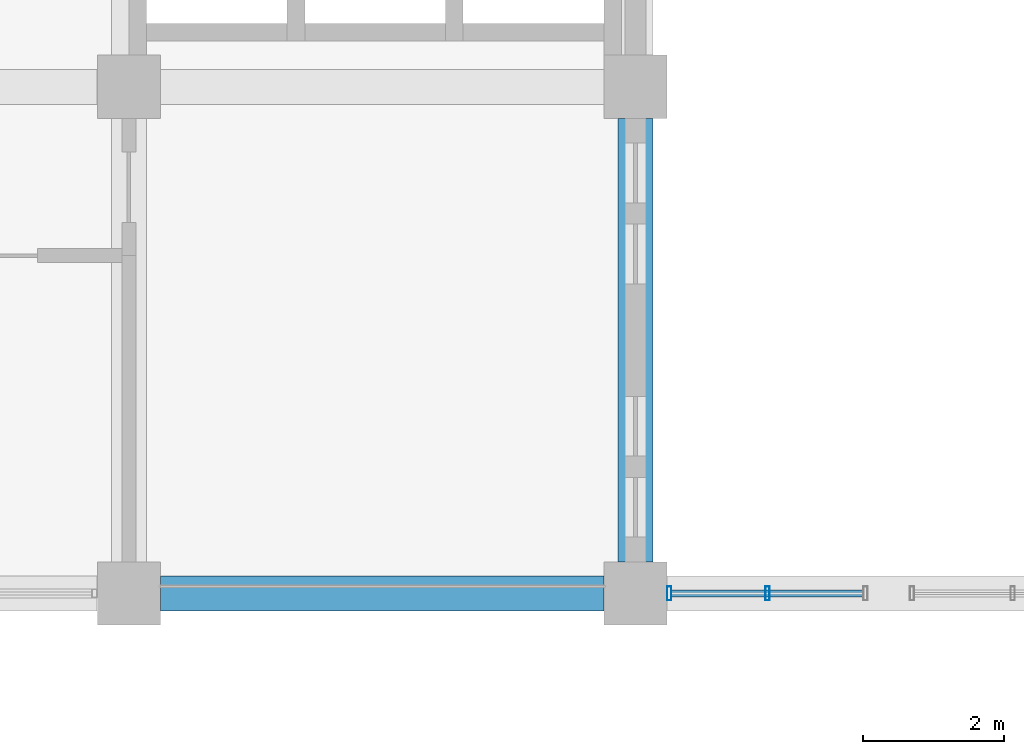
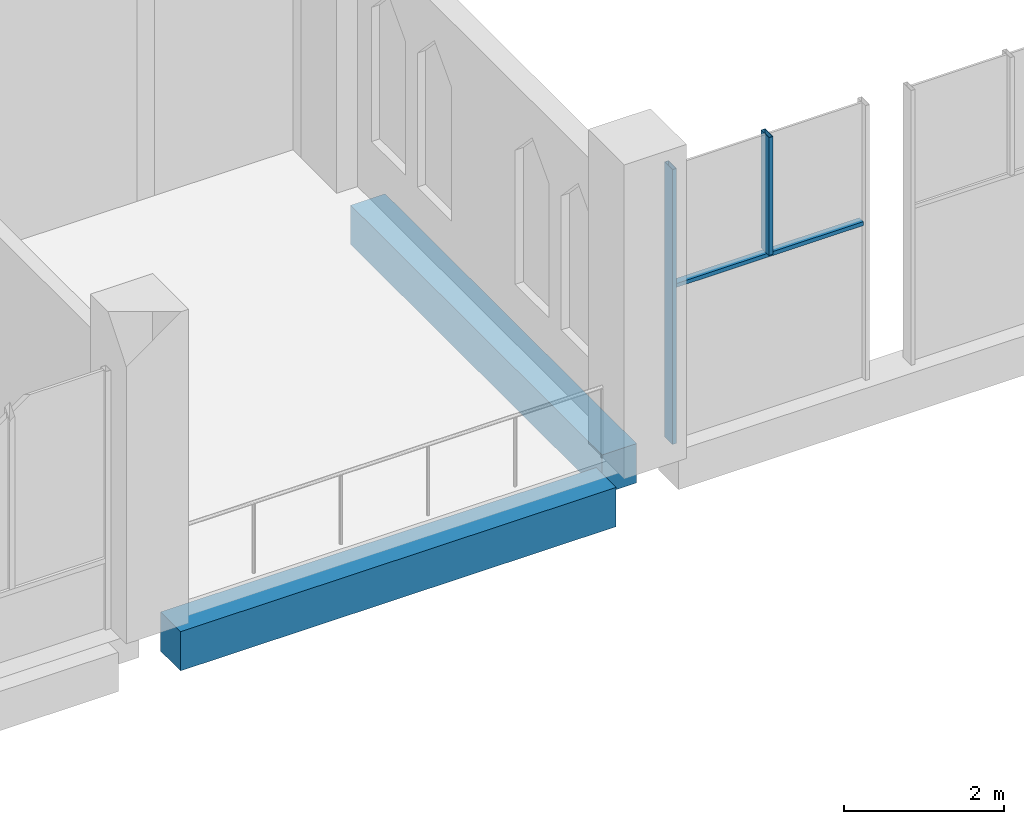
# One storey, part 11 of 39: 3 members, 2 beams, 1 element without a shape of its own.
"""IFC4 building model written with IfcOpenShell, lengths in metres."""

import ifcopenshell
import ifcopenshell.guid

model = None  # the IFC model being written
_history = None  # IfcOwnerHistory: only IFC2X3 demands one
_inside = {}  # id of a spatial element -> (the spatial element, [elements in it])
_under = {}  # id of a project, library or spatial element -> (it, [spatial elements below it])
_declared = {}  # id of a project -> (the project, [libraries it declares])
_typed = {}  # id of a type object -> (the type object, [elements of that type])
_made_of = {}  # id of a material, layer set ... -> (it, [elements and type objects made of it])


def new_model(schema):
    """Start an empty IFC model of exactly this schema.

    Asked for "IFC4X3", IfcOpenShell would pick the latest addendum, in which some entities
    have other attributes; the version numbers below select the first issue.
    IFC2X3 requires an IfcOwnerHistory on every rooted entity: one is made here for all.
    """
    global model, _history
    if schema == "IFC4X3":
        model = ifcopenshell.file(schema_version=(4, 3, 0, 0))
    else:
        model = ifcopenshell.file(schema=schema)
    _inside.clear()
    _under.clear()
    _declared.clear()
    _typed.clear()
    _made_of.clear()
    _history = None
    if model.schema == "IFC2X3":
        org = make("IfcOrganization", Name="unknown")
        user = make(
            "IfcPersonAndOrganization",
            ThePerson=make("IfcPerson", FamilyName="unknown"),
            TheOrganization=org,
        )
        app = make(
            "IfcApplication",
            ApplicationDeveloper=org,
            Version="unknown",
            ApplicationFullName="unknown",
            ApplicationIdentifier="unknown",
        )
        _history = make(
            "IfcOwnerHistory",
            OwningUser=user,
            OwningApplication=app,
            ChangeAction="ADDED",
            CreationDate=0,
        )
    return model


def make(cls, **values):
    """One entity of the class cls with the attributes given. An attribute that is None is left unset."""
    return model.create_entity(
        cls, **{name: value for name, value in values.items() if value is not None}
    )


def rooted(cls, **values):
    """An entity with a GlobalId (a new one), such as an element, a storey or a relation."""
    return make(cls, GlobalId=ifcopenshell.guid.new(), OwnerHistory=_history, **values)


def si_unit(unit_type, name, prefix=None):
    """IfcSIUnit, for example si_unit("LENGTHUNIT", "METRE", prefix="MILLI")."""
    return make("IfcSIUnit", UnitType=unit_type, Prefix=prefix, Name=name)


def assignment(units):
    """IfcUnitAssignment: the units of a project."""
    return None if units is None else make("IfcUnitAssignment", Units=units)


def point(xyz):
    """IfcCartesianPoint."""
    return None if xyz is None else make("IfcCartesianPoint", Coordinates=xyz)


def direction(xyz):
    """IfcDirection."""
    return None if xyz is None else make("IfcDirection", DirectionRatios=xyz)


def frame(location, z_axis=None, x_axis=None):
    """IfcAxis2Placement3D, a coordinate frame: its origin and axes. An axis left out is left unset."""
    return make(
        "IfcAxis2Placement3D",
        Location=point(location),
        Axis=direction(z_axis),
        RefDirection=direction(x_axis),
    )


def frame_2d(location, x_axis=None):
    """IfcAxis2Placement2D, a coordinate frame in the plane: its origin and x axis."""
    return make(
        "IfcAxis2Placement2D", Location=point(location), RefDirection=direction(x_axis)
    )


def origin():
    """The frame at (0, 0, 0) with its axes left unset."""
    return frame((0.0, 0.0, 0.0))


def origin_2d():
    """The frame at (0, 0) in the plane with its x axis left unset."""
    return frame_2d((0.0, 0.0))


def place(relative_to, where):
    """IfcLocalPlacement: puts the frame where relative to a parent placement (None: the world)."""
    return make(
        "IfcLocalPlacement", PlacementRelTo=relative_to, RelativePlacement=where
    )


def context(
    kind, dimensions, precision=None, world=None, true_north=None, identifier=None
):
    """IfcGeometricRepresentationContext, for example the 3D "Model" context."""
    return make(
        "IfcGeometricRepresentationContext",
        ContextIdentifier=identifier,
        ContextType=kind,
        CoordinateSpaceDimension=dimensions,
        Precision=precision,
        WorldCoordinateSystem=world,
        TrueNorth=true_north,
    )


def subcontext(parent, identifier, kind, view, scale=None):
    """IfcGeometricRepresentationSubContext, for example "Body" below "Model"."""
    return make(
        "IfcGeometricRepresentationSubContext",
        ContextIdentifier=identifier,
        ContextType=kind,
        ParentContext=parent,
        TargetScale=scale,
        TargetView=view,
    )


def project(units=None, contexts=None):
    """IfcProject with its units and contexts."""
    return rooted(
        "IfcProject",
        Name="project",
        RepresentationContexts=contexts,
        UnitsInContext=assignment(units),
    )


def spatial(cls, under=None, at=None, **own):
    """A site, building, storey or space (cls), placed at a placement, below another one or the project."""
    s = rooted(cls, ObjectPlacement=at, **own)
    if under is not None:
        _under.setdefault(under.id(), (under, []))[1].append(s)
    return s


def profile(cls, at=None, kind="AREA", **sizes):
    """A parametric profile (cls). Its sizes go by their IFC names, for example OverallWidth=200.0."""
    return make(cls, ProfileType=kind, Position=at, **sizes)


def rectangle(**sizes):
    """IfcRectangleProfileDef."""
    return profile("IfcRectangleProfileDef", **sizes)


def hollow_rectangle(**sizes):
    """IfcRectangleHollowProfileDef."""
    return profile("IfcRectangleHollowProfileDef", **sizes)


def extrude(swept, where, along, depth):
    """IfcExtrudedAreaSolid: the profile swept, set in the frame where, extruded along a direction by depth."""
    return make(
        "IfcExtrudedAreaSolid",
        SweptArea=swept,
        Position=where,
        ExtrudedDirection=direction(along),
        Depth=depth,
    )


def shape(context_of_items, identifier, shape_type, items):
    """IfcShapeRepresentation: the items that make up one representation, for example the "Body"."""
    return make(
        "IfcShapeRepresentation",
        ContextOfItems=context_of_items,
        RepresentationIdentifier=identifier,
        RepresentationType=shape_type,
        Items=items,
    )


def material(Name=None, Category=None):
    """IfcMaterial."""
    return make("IfcMaterial", Name=Name, Category=Category)


def material_profile(
    of_material, cross_section, Name=None, Category=None, Priority=None
):
    """IfcMaterialProfile: a cross section and its material."""
    return make(
        "IfcMaterialProfile",
        Name=Name,
        Material=of_material,
        Profile=cross_section,
        Priority=Priority,
        Category=Category,
    )


def profile_set(profiles, Name=None, composite=None):
    """IfcMaterialProfileSet."""
    return make(
        "IfcMaterialProfileSet",
        Name=Name,
        MaterialProfiles=profiles,
        CompositeProfile=composite,
    )


def made_of(thing, what):
    """Note that an element or type object is made of a material, layer set ...; save() writes the relation."""
    if what is not None:
        _made_of.setdefault(what.id(), (what, []))[1].append(thing)
    return thing


def type_object(cls, material=None, **own):
    """A type object (cls), such as IfcWallType, which elements share."""
    return made_of(rooted(cls, **own), material)


def element(
    cls,
    number,
    at=None,
    inside=None,
    cuts=None,
    type_object=None,
    material=None,
    context=None,
    identifier="Body",
    shape_type=None,
    held_by="IfcProductDefinitionShape",
    body=None,
    shapes=None,
    **own,
):
    """One element of the class cls, such as IfcWall. Its Tag is "e" and its number.

    at: its placement. inside: the storey or other place that contains it. cuts: it is an
    opening in that element (IfcRelVoidsElement). A single representation is given by context,
    identifier, shape_type and body (its items); several are given by shapes. held_by: the class
    of the entity that holds the representations. save() writes the other relations.
    """
    e = rooted(cls, Tag="e%d" % number, ObjectPlacement=at, **own)
    if body is not None:
        shapes = [shape(context, identifier, shape_type, body)]
    if shapes is not None:
        e.Representation = make(held_by, Representations=shapes)
    if inside is not None:
        _inside.setdefault(inside.id(), (inside, []))[1].append(e)
    if cuts is not None:
        rooted(
            "IfcRelVoidsElement", RelatingBuildingElement=cuts, RelatedOpeningElement=e
        )
    if type_object is not None:
        _typed.setdefault(type_object.id(), (type_object, []))[1].append(e)
    return made_of(e, material)


def aggregate(whole, parts):
    """IfcRelAggregates: a whole, such as a stair, and the parts it consists of."""
    return rooted("IfcRelAggregates", RelatingObject=whole, RelatedObjects=parts)


def save(model, path):
    """Write the relations noted so far, then the file.

    IfcRelAggregates (storeys below a building ...), IfcRelContainedInSpatialStructure (elements
    in a storey), IfcRelDefinesByType, IfcRelAssociatesMaterial and IfcRelDeclares: one each for
    every whole, place, type object, material and project.
    """
    for whole, parts in _under.values():
        aggregate(whole, parts)
    for where, things in _inside.values():
        rooted(
            "IfcRelContainedInSpatialStructure",
            RelatedElements=things,
            RelatingStructure=where,
        )
    for kind, things in _typed.values():
        rooted("IfcRelDefinesByType", RelatedObjects=things, RelatingType=kind)
    for what, things in _made_of.values():
        rooted("IfcRelAssociatesMaterial", RelatedObjects=things, RelatingMaterial=what)
    for by, libraries in _declared.values():
        rooted("IfcRelDeclares", RelatingContext=by, RelatedDefinitions=libraries)
    model.write(path)


model = new_model("IFC4")

# Units and contexts
model_context = context("Model", 3, precision=1e-05, world=origin(), true_north=direction((0.0, 1.0)))
body_context = subcontext(model_context, "Body", "Model", "MODEL_VIEW")
ifc_project = project(units=[si_unit("LENGTHUNIT", "METRE"), si_unit("AREAUNIT", "SQUARE_METRE"), si_unit("VOLUMEUNIT", "CUBIC_METRE"), si_unit("PLANEANGLEUNIT", "RADIAN"), si_unit("MASSUNIT", "GRAM", prefix="KILO")], contexts=[model_context])

# Site, building, storey
site_placement = place(None, origin())
site = spatial("IfcSite", under=ifc_project, at=site_placement, CompositionType="ELEMENT")
building_placement = place(site_placement, origin())
building = spatial("IfcBuilding", under=site, at=building_placement, Name="Silangan Lancet Faculty of Sciences", CompositionType="ELEMENT")
storey_placement = place(building_placement, frame((0.0, 0.0, 26.39990234375)))
storey = spatial("IfcBuildingStorey", under=building, at=storey_placement, Name="L05", CompositionType="ELEMENT", Elevation=26.39990234375)

# Beams
ifc_material_1 = material(Name="Concrete C40/50", Category="concrete")
ifc_material_profile_1 = material_profile(ifc_material_1, rectangle(XDim=0.5, YDim=0.60009765625, at=origin_2d()), Name="RC 500x600")
ifc_profile_set_1 = profile_set([ifc_material_profile_1], Name="Concrete C40/50")
beam_type = type_object("IfcBeamType", Name="BEAM RC 500x600", PredefinedType="BEAM", material=ifc_profile_set_1)
for number, where, z_axis, x_axis, name in (
    (1, (22.050048828125, 36.0, -0.5498046875), (1.0, 0.0, 0.0), (0.0, 1.0, 0.0), "BM-L05-4F-5F"),
    (2, (28.800048828125, 36.449951171875, -0.5498046875), (0.0, 1.0, 0.0), (-1.0, 0.0, 0.0), "BM-L05-5F-5G"),
):
    element("IfcBeam", number, at=place(storey_placement, frame(where, z_axis=z_axis, x_axis=x_axis)), inside=storey, type_object=beam_type, Name=name, PredefinedType="BEAM", context=body_context, shape_type="SweptSolid", body=[
        extrude(rectangle(XDim=0.5, YDim=0.60009765625, at=origin_2d()), origin(), (0.0, 0.0, 1.0), 6.300048828125),
    ])

# Curtain wall, members
ifc_material_2 = material(Name="Aluminium framed curtain wall with insulated glass", Category="aluminium")
curtain_wall_type = type_object("IfcCurtainWallType", Name="CW5 Nave north light glazing", PredefinedType="NOTDEFINED", material=ifc_material_2)
curtain_wall_placement = place(storey_placement, origin())
curtain_wall = element("IfcCurtainWall", 3, at=curtain_wall_placement, inside=storey, type_object=curtain_wall_type, Name="CW5 Nave north lights L05 bay 6", PredefinedType="NOTDEFINED")
ifc_material_3 = material(Name="Aluminium 6063-T6 extrusion", Category="aluminium")
ifc_material_profile_2 = material_profile(ifc_material_3, hollow_rectangle(XDim=0.06005859375, YDim=0.199951171875, WallThickness=0.00390625, at=origin_2d()), Name="AL BOX 60x200x4")
ifc_profile_set_2 = profile_set([ifc_material_profile_2], Name="Aluminium 6063-T6 extrusion")
member_type_1 = type_object("IfcMemberType", Name="CM1 Mullion 60x200", PredefinedType="MULLION", material=ifc_profile_set_2)
member_1_placement = place(storey_placement, frame((29.280029296875, 36.0, 0.0), z_axis=(0.0, 0.0, 1.0), x_axis=(-1.0, 0.0, 0.0)))
member_1 = element("IfcMember", 4, at=member_1_placement, type_object=member_type_1, Name="CW5 Nave north lights L05 bay 6 mullion 2", PredefinedType="MULLION", context=body_context, shape_type="SweptSolid", body=[
    extrude(hollow_rectangle(XDim=0.06005859375, YDim=0.199951171875, WallThickness=0.00390625, at=origin_2d()), origin(), (0.0, 0.0, 1.0), 4.2001953125),
])
member_2_placement = place(storey_placement, frame((30.675048828125, 36.0, 2.400146484375), z_axis=(0.0, 0.0, 1.0), x_axis=(-1.0, 0.0, 0.0)))
member_2 = element("IfcMember", 5, at=member_2_placement, type_object=member_type_1, Name="CW5 Nave north lights L05 bay 6 mullion 3", PredefinedType="MULLION", context=body_context, shape_type="SweptSolid", body=[
    extrude(hollow_rectangle(XDim=0.06005859375, YDim=0.199951171875, WallThickness=0.00390625, at=origin_2d()), origin(), (0.0, 0.0, 1.0), 1.800048828125),
])
ifc_material_4 = material(Name="Aluminium 6063-T6 extrusion", Category="aluminium")
ifc_material_profile_3 = material_profile(ifc_material_4, hollow_rectangle(XDim=0.10009765625, YDim=0.06005859375, WallThickness=0.0029296875, at=origin_2d()), Name="AL BOX 100x60x3")
ifc_profile_set_3 = profile_set([ifc_material_profile_3], Name="Aluminium 6063-T6 extrusion")
member_type_2 = type_object("IfcMemberType", Name="CT1 Transom 100x60", PredefinedType="USERDEFINED", material=ifc_profile_set_3)
member_3_placement = place(storey_placement, frame((32.039794921875, 36.0, 2.3701171875), z_axis=(-1.0, 0.0, 0.0), x_axis=(0.0, -1.0, 0.0)))
member_3 = element("IfcMember", 6, at=member_3_placement, type_object=member_type_2, Name="CW5 Nave north lights L05 bay 6 transom 1", ObjectType="TRANSOM", PredefinedType="USERDEFINED", context=body_context, shape_type="SweptSolid", body=[
    extrude(hollow_rectangle(XDim=0.10009765625, YDim=0.06005859375, WallThickness=0.0029296875, at=origin_2d()), origin(), (0.0, 0.0, 1.0), 2.729736328125),
])
aggregate(curtain_wall, [member_1, member_2, member_3])

save(model, "model.ifc")
